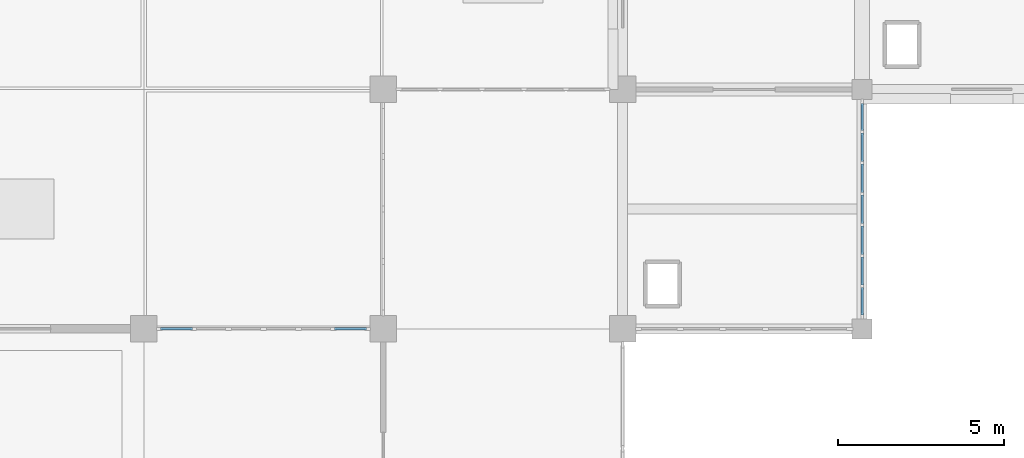
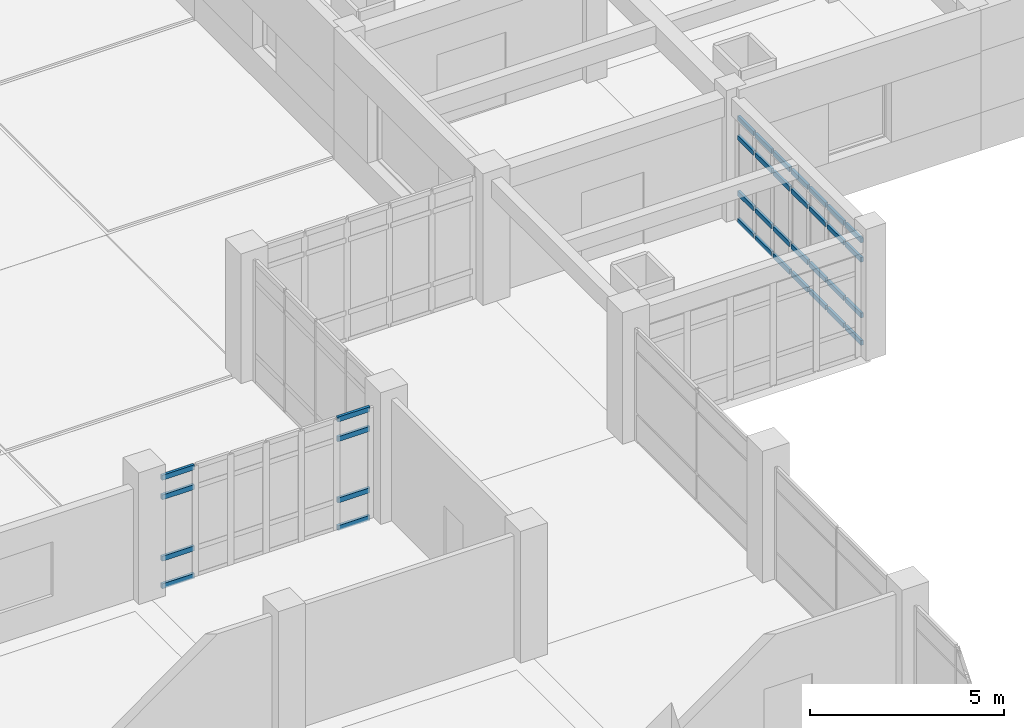
# One storey, part 29 of 62: 36 members, 2 elements without a shape of their own.
"""IFC4 building model written with IfcOpenShell, lengths in metres."""

from ifc_helpers import new_model, si_unit, direction, frame, origin, origin_2d, place, context, subcontext, project, spatial, rectangle, extrude, material, layer, layer_set, material_profile, profile_set, type_object, element, aggregate, save


model = new_model("IFC4")

# Units and contexts
model_context = context("Model", 3, precision=1e-05, world=origin(), true_north=direction((0.0, 1.0)))
body_context = subcontext(model_context, "Body", "Model", "MODEL_VIEW")
ifc_project = project(units=[si_unit("LENGTHUNIT", "METRE"), si_unit("AREAUNIT", "SQUARE_METRE"), si_unit("VOLUMEUNIT", "CUBIC_METRE"), si_unit("PLANEANGLEUNIT", "RADIAN"), si_unit("MASSUNIT", "GRAM", prefix="KILO")], contexts=[model_context])

# Site, building, storey
site_placement = place(None, origin())
site = spatial("IfcSite", under=ifc_project, at=site_placement, CompositionType="ELEMENT")
building_placement = place(site_placement, origin())
building = spatial("IfcBuilding", under=site, at=building_placement, Name="Kavelor Marine Aquarium", CompositionType="ELEMENT")
storey_placement = place(building_placement, frame((0.0, 0.0, 13.5)))
storey = spatial("IfcBuildingStorey", under=building, at=storey_placement, Name="L03", CompositionType="ELEMENT", Elevation=13.5)

# Curtain wall, members
ifc_material_1 = material(Name="Thermally Broken Aluminium and Low-E Glass", Category="aluminium")
ifc_layer_1 = layer(ifc_material_1, 0.14794921875)
ifc_layer_set_1 = layer_set([ifc_layer_1], Name="CW-SYS1")
curtain_wall_type_1 = type_object("IfcCurtainWallType", Name="CW-SYS1", PredefinedType="USERDEFINED", material=ifc_layer_set_1)
curtain_wall_1_placement = place(storey_placement, origin())
curtain_wall_1 = element("IfcCurtainWall", 1, at=curtain_wall_1_placement, inside=storey, type_object=curtain_wall_type_1, Name="cw:y:L03:06_11", ObjectType="Curtain Wall", PredefinedType="USERDEFINED")
ifc_material_2 = material(Name="Anodised Aluminium Alloy 6063-T6", Category="aluminium")
ifc_material_profile_1 = material_profile(ifc_material_2, rectangle(XDim=0.074951171875, YDim=0.14990234375, at=origin_2d()), Name="CW-TRN 75x150")
ifc_profile_set_1 = profile_set([ifc_material_profile_1], Name="Anodised Aluminium Alloy 6063-T6")
member_type_1 = type_object("IfcMemberType", Name="CWT-1", PredefinedType="USERDEFINED", material=ifc_profile_set_1)
member_1_placement = place(storey_placement, frame((46.39990234375, 82.419921875, 0.03759765625), z_axis=(0.0, 1.0, 0.0), x_axis=(-1.0, 0.0, 0.0)))
member_1 = element("IfcMember", 2, at=member_1_placement, type_object=member_type_1, Name="CW01 transom 1.1", ObjectType="TRANSOM", PredefinedType="USERDEFINED", context=body_context, shape_type="SweptSolid", body=[
    extrude(rectangle(XDim=0.074951171875, YDim=0.14990234375, at=origin_2d()), origin(), (0.0, 0.0, 1.0), 0.817626953125),
])
member_2_placement = place(storey_placement, frame((46.39990234375, 82.419921875, 0.89990234375), z_axis=(0.0, 1.0, 0.0), x_axis=(-1.0, 0.0, 0.0)))
member_2 = element("IfcMember", 3, at=member_2_placement, type_object=member_type_1, Name="CW01 transom 1.2", ObjectType="TRANSOM", PredefinedType="USERDEFINED", context=body_context, shape_type="SweptSolid", body=[
    extrude(rectangle(XDim=0.074951171875, YDim=0.14990234375, at=origin_2d()), origin(), (0.0, 0.0, 1.0), 0.817626953125),
])
member_3_placement = place(storey_placement, frame((46.39990234375, 82.419921875, 2.64990234375), z_axis=(0.0, 1.0, 0.0), x_axis=(-1.0, 0.0, 0.0)))
member_3 = element("IfcMember", 4, at=member_3_placement, type_object=member_type_1, Name="CW01 transom 1.3", ObjectType="TRANSOM", PredefinedType="USERDEFINED", context=body_context, shape_type="SweptSolid", body=[
    extrude(rectangle(XDim=0.074951171875, YDim=0.14990234375, at=origin_2d()), origin(), (0.0, 0.0, 1.0), 0.817626953125),
])
member_4_placement = place(storey_placement, frame((46.39990234375, 82.419921875, 3.262451171875), z_axis=(0.0, 1.0, 0.0), x_axis=(-1.0, 0.0, 0.0)))
member_4 = element("IfcMember", 5, at=member_4_placement, type_object=member_type_1, Name="CW01 transom 1.4", ObjectType="TRANSOM", PredefinedType="USERDEFINED", context=body_context, shape_type="SweptSolid", body=[
    extrude(rectangle(XDim=0.074951171875, YDim=0.14990234375, at=origin_2d()), origin(), (0.0, 0.0, 1.0), 0.817626953125),
])
member_5_placement = place(storey_placement, frame((46.39990234375, 83.3125, 0.03759765625), z_axis=(0.0, 1.0, 0.0), x_axis=(-1.0, 0.0, 0.0)))
member_5 = element("IfcMember", 6, at=member_5_placement, type_object=member_type_1, Name="CW01 transom 2.1", ObjectType="TRANSOM", PredefinedType="USERDEFINED", context=body_context, shape_type="SweptSolid", body=[
    extrude(rectangle(XDim=0.074951171875, YDim=0.14990234375, at=origin_2d()), origin(), (0.0, 0.0, 1.0), 0.85498046875),
])
member_6_placement = place(storey_placement, frame((46.39990234375, 83.3125, 0.89990234375), z_axis=(0.0, 1.0, 0.0), x_axis=(-1.0, 0.0, 0.0)))
member_6 = element("IfcMember", 7, at=member_6_placement, type_object=member_type_1, Name="CW01 transom 2.2", ObjectType="TRANSOM", PredefinedType="USERDEFINED", context=body_context, shape_type="SweptSolid", body=[
    extrude(rectangle(XDim=0.074951171875, YDim=0.14990234375, at=origin_2d()), origin(), (0.0, 0.0, 1.0), 0.85498046875),
])
member_7_placement = place(storey_placement, frame((46.39990234375, 83.3125, 2.64990234375), z_axis=(0.0, 1.0, 0.0), x_axis=(-1.0, 0.0, 0.0)))
member_7 = element("IfcMember", 8, at=member_7_placement, type_object=member_type_1, Name="CW01 transom 2.3", ObjectType="TRANSOM", PredefinedType="USERDEFINED", context=body_context, shape_type="SweptSolid", body=[
    extrude(rectangle(XDim=0.074951171875, YDim=0.14990234375, at=origin_2d()), origin(), (0.0, 0.0, 1.0), 0.85498046875),
])
member_8_placement = place(storey_placement, frame((46.39990234375, 83.3125, 3.262451171875), z_axis=(0.0, 1.0, 0.0), x_axis=(-1.0, 0.0, 0.0)))
member_8 = element("IfcMember", 9, at=member_8_placement, type_object=member_type_1, Name="CW01 transom 2.4", ObjectType="TRANSOM", PredefinedType="USERDEFINED", context=body_context, shape_type="SweptSolid", body=[
    extrude(rectangle(XDim=0.074951171875, YDim=0.14990234375, at=origin_2d()), origin(), (0.0, 0.0, 1.0), 0.85498046875),
])
member_9_placement = place(storey_placement, frame((46.39990234375, 84.242431640625, 0.03759765625), z_axis=(0.0, 1.0, 0.0), x_axis=(-1.0, 0.0, 0.0)))
member_9 = element("IfcMember", 10, at=member_9_placement, type_object=member_type_1, Name="CW01 transom 3.1", ObjectType="TRANSOM", PredefinedType="USERDEFINED", context=body_context, shape_type="SweptSolid", body=[
    extrude(rectangle(XDim=0.074951171875, YDim=0.14990234375, at=origin_2d()), origin(), (0.0, 0.0, 1.0), 0.85498046875),
])
member_10_placement = place(storey_placement, frame((46.39990234375, 84.242431640625, 0.89990234375), z_axis=(0.0, 1.0, 0.0), x_axis=(-1.0, 0.0, 0.0)))
member_10 = element("IfcMember", 11, at=member_10_placement, type_object=member_type_1, Name="CW01 transom 3.2", ObjectType="TRANSOM", PredefinedType="USERDEFINED", context=body_context, shape_type="SweptSolid", body=[
    extrude(rectangle(XDim=0.074951171875, YDim=0.14990234375, at=origin_2d()), origin(), (0.0, 0.0, 1.0), 0.85498046875),
])
member_11_placement = place(storey_placement, frame((46.39990234375, 84.242431640625, 2.64990234375), z_axis=(0.0, 1.0, 0.0), x_axis=(-1.0, 0.0, 0.0)))
member_11 = element("IfcMember", 12, at=member_11_placement, type_object=member_type_1, Name="CW01 transom 3.3", ObjectType="TRANSOM", PredefinedType="USERDEFINED", context=body_context, shape_type="SweptSolid", body=[
    extrude(rectangle(XDim=0.074951171875, YDim=0.14990234375, at=origin_2d()), origin(), (0.0, 0.0, 1.0), 0.85498046875),
])
member_12_placement = place(storey_placement, frame((46.39990234375, 84.242431640625, 3.262451171875), z_axis=(0.0, 1.0, 0.0), x_axis=(-1.0, 0.0, 0.0)))
member_12 = element("IfcMember", 13, at=member_12_placement, type_object=member_type_1, Name="CW01 transom 3.4", ObjectType="TRANSOM", PredefinedType="USERDEFINED", context=body_context, shape_type="SweptSolid", body=[
    extrude(rectangle(XDim=0.074951171875, YDim=0.14990234375, at=origin_2d()), origin(), (0.0, 0.0, 1.0), 0.85498046875),
])
member_13_placement = place(storey_placement, frame((46.39990234375, 85.172607421875, 0.03759765625), z_axis=(0.0, 1.0, 0.0), x_axis=(-1.0, 0.0, 0.0)))
member_13 = element("IfcMember", 14, at=member_13_placement, type_object=member_type_1, Name="CW01 transom 4.1", ObjectType="TRANSOM", PredefinedType="USERDEFINED", context=body_context, shape_type="SweptSolid", body=[
    extrude(rectangle(XDim=0.074951171875, YDim=0.14990234375, at=origin_2d()), origin(), (0.0, 0.0, 1.0), 0.85498046875),
])
member_14_placement = place(storey_placement, frame((46.39990234375, 85.172607421875, 0.89990234375), z_axis=(0.0, 1.0, 0.0), x_axis=(-1.0, 0.0, 0.0)))
member_14 = element("IfcMember", 15, at=member_14_placement, type_object=member_type_1, Name="CW01 transom 4.2", ObjectType="TRANSOM", PredefinedType="USERDEFINED", context=body_context, shape_type="SweptSolid", body=[
    extrude(rectangle(XDim=0.074951171875, YDim=0.14990234375, at=origin_2d()), origin(), (0.0, 0.0, 1.0), 0.85498046875),
])
member_15_placement = place(storey_placement, frame((46.39990234375, 85.172607421875, 2.64990234375), z_axis=(0.0, 1.0, 0.0), x_axis=(-1.0, 0.0, 0.0)))
member_15 = element("IfcMember", 16, at=member_15_placement, type_object=member_type_1, Name="CW01 transom 4.3", ObjectType="TRANSOM", PredefinedType="USERDEFINED", context=body_context, shape_type="SweptSolid", body=[
    extrude(rectangle(XDim=0.074951171875, YDim=0.14990234375, at=origin_2d()), origin(), (0.0, 0.0, 1.0), 0.85498046875),
])
member_16_placement = place(storey_placement, frame((46.39990234375, 85.172607421875, 3.262451171875), z_axis=(0.0, 1.0, 0.0), x_axis=(-1.0, 0.0, 0.0)))
member_16 = element("IfcMember", 17, at=member_16_placement, type_object=member_type_1, Name="CW01 transom 4.4", ObjectType="TRANSOM", PredefinedType="USERDEFINED", context=body_context, shape_type="SweptSolid", body=[
    extrude(rectangle(XDim=0.074951171875, YDim=0.14990234375, at=origin_2d()), origin(), (0.0, 0.0, 1.0), 0.85498046875),
])
member_17_placement = place(storey_placement, frame((46.39990234375, 86.1025390625, 0.03759765625), z_axis=(0.0, 1.0, 0.0), x_axis=(-1.0, 0.0, 0.0)))
member_17 = element("IfcMember", 18, at=member_17_placement, type_object=member_type_1, Name="CW01 transom 5.1", ObjectType="TRANSOM", PredefinedType="USERDEFINED", context=body_context, shape_type="SweptSolid", body=[
    extrude(rectangle(XDim=0.074951171875, YDim=0.14990234375, at=origin_2d()), origin(), (0.0, 0.0, 1.0), 0.85498046875),
])
member_18_placement = place(storey_placement, frame((46.39990234375, 86.1025390625, 0.89990234375), z_axis=(0.0, 1.0, 0.0), x_axis=(-1.0, 0.0, 0.0)))
member_18 = element("IfcMember", 19, at=member_18_placement, type_object=member_type_1, Name="CW01 transom 5.2", ObjectType="TRANSOM", PredefinedType="USERDEFINED", context=body_context, shape_type="SweptSolid", body=[
    extrude(rectangle(XDim=0.074951171875, YDim=0.14990234375, at=origin_2d()), origin(), (0.0, 0.0, 1.0), 0.85498046875),
])
member_19_placement = place(storey_placement, frame((46.39990234375, 86.1025390625, 2.64990234375), z_axis=(0.0, 1.0, 0.0), x_axis=(-1.0, 0.0, 0.0)))
member_19 = element("IfcMember", 20, at=member_19_placement, type_object=member_type_1, Name="CW01 transom 5.3", ObjectType="TRANSOM", PredefinedType="USERDEFINED", context=body_context, shape_type="SweptSolid", body=[
    extrude(rectangle(XDim=0.074951171875, YDim=0.14990234375, at=origin_2d()), origin(), (0.0, 0.0, 1.0), 0.85498046875),
])
member_20_placement = place(storey_placement, frame((46.39990234375, 86.1025390625, 3.262451171875), z_axis=(0.0, 1.0, 0.0), x_axis=(-1.0, 0.0, 0.0)))
member_20 = element("IfcMember", 21, at=member_20_placement, type_object=member_type_1, Name="CW01 transom 5.4", ObjectType="TRANSOM", PredefinedType="USERDEFINED", context=body_context, shape_type="SweptSolid", body=[
    extrude(rectangle(XDim=0.074951171875, YDim=0.14990234375, at=origin_2d()), origin(), (0.0, 0.0, 1.0), 0.85498046875),
])
member_21_placement = place(storey_placement, frame((46.39990234375, 87.032470703125, 0.03759765625), z_axis=(0.0, 1.0, 0.0), x_axis=(-1.0, 0.0, 0.0)))
member_21 = element("IfcMember", 22, at=member_21_placement, type_object=member_type_1, Name="CW01 transom 6.1", ObjectType="TRANSOM", PredefinedType="USERDEFINED", context=body_context, shape_type="SweptSolid", body=[
    extrude(rectangle(XDim=0.074951171875, YDim=0.14990234375, at=origin_2d()), origin(), (0.0, 0.0, 1.0), 0.85498046875),
])
member_22_placement = place(storey_placement, frame((46.39990234375, 87.032470703125, 0.89990234375), z_axis=(0.0, 1.0, 0.0), x_axis=(-1.0, 0.0, 0.0)))
member_22 = element("IfcMember", 23, at=member_22_placement, type_object=member_type_1, Name="CW01 transom 6.2", ObjectType="TRANSOM", PredefinedType="USERDEFINED", context=body_context, shape_type="SweptSolid", body=[
    extrude(rectangle(XDim=0.074951171875, YDim=0.14990234375, at=origin_2d()), origin(), (0.0, 0.0, 1.0), 0.85498046875),
])
member_23_placement = place(storey_placement, frame((46.39990234375, 87.032470703125, 2.64990234375), z_axis=(0.0, 1.0, 0.0), x_axis=(-1.0, 0.0, 0.0)))
member_23 = element("IfcMember", 24, at=member_23_placement, type_object=member_type_1, Name="CW01 transom 6.3", ObjectType="TRANSOM", PredefinedType="USERDEFINED", context=body_context, shape_type="SweptSolid", body=[
    extrude(rectangle(XDim=0.074951171875, YDim=0.14990234375, at=origin_2d()), origin(), (0.0, 0.0, 1.0), 0.85498046875),
])
member_24_placement = place(storey_placement, frame((46.39990234375, 87.032470703125, 3.262451171875), z_axis=(0.0, 1.0, 0.0), x_axis=(-1.0, 0.0, 0.0)))
member_24 = element("IfcMember", 25, at=member_24_placement, type_object=member_type_1, Name="CW01 transom 6.4", ObjectType="TRANSOM", PredefinedType="USERDEFINED", context=body_context, shape_type="SweptSolid", body=[
    extrude(rectangle(XDim=0.074951171875, YDim=0.14990234375, at=origin_2d()), origin(), (0.0, 0.0, 1.0), 0.85498046875),
])
member_25_placement = place(storey_placement, frame((46.39990234375, 87.96240234375, 0.03759765625), z_axis=(0.0, 1.0, 0.0), x_axis=(-1.0, 0.0, 0.0)))
member_25 = element("IfcMember", 26, at=member_25_placement, type_object=member_type_1, Name="CW01 transom 7.1", ObjectType="TRANSOM", PredefinedType="USERDEFINED", context=body_context, shape_type="SweptSolid", body=[
    extrude(rectangle(XDim=0.074951171875, YDim=0.14990234375, at=origin_2d()), origin(), (0.0, 0.0, 1.0), 0.817626953125),
])
member_26_placement = place(storey_placement, frame((46.39990234375, 87.96240234375, 0.89990234375), z_axis=(0.0, 1.0, 0.0), x_axis=(-1.0, 0.0, 0.0)))
member_26 = element("IfcMember", 27, at=member_26_placement, type_object=member_type_1, Name="CW01 transom 7.2", ObjectType="TRANSOM", PredefinedType="USERDEFINED", context=body_context, shape_type="SweptSolid", body=[
    extrude(rectangle(XDim=0.074951171875, YDim=0.14990234375, at=origin_2d()), origin(), (0.0, 0.0, 1.0), 0.817626953125),
])
member_27_placement = place(storey_placement, frame((46.39990234375, 87.96240234375, 2.64990234375), z_axis=(0.0, 1.0, 0.0), x_axis=(-1.0, 0.0, 0.0)))
member_27 = element("IfcMember", 28, at=member_27_placement, type_object=member_type_1, Name="CW01 transom 7.3", ObjectType="TRANSOM", PredefinedType="USERDEFINED", context=body_context, shape_type="SweptSolid", body=[
    extrude(rectangle(XDim=0.074951171875, YDim=0.14990234375, at=origin_2d()), origin(), (0.0, 0.0, 1.0), 0.817626953125),
])
member_28_placement = place(storey_placement, frame((46.39990234375, 87.96240234375, 3.262451171875), z_axis=(0.0, 1.0, 0.0), x_axis=(-1.0, 0.0, 0.0)))
member_28 = element("IfcMember", 29, at=member_28_placement, type_object=member_type_1, Name="CW01 transom 7.4", ObjectType="TRANSOM", PredefinedType="USERDEFINED", context=body_context, shape_type="SweptSolid", body=[
    extrude(rectangle(XDim=0.074951171875, YDim=0.14990234375, at=origin_2d()), origin(), (0.0, 0.0, 1.0), 0.817626953125),
])
aggregate(curtain_wall_1, [member_1, member_2, member_3, member_4, member_5, member_6, member_7, member_8, member_9, member_10, member_11, member_12, member_13, member_14, member_15, member_16, member_17, member_18, member_19, member_20, member_21, member_22, member_23, member_24, member_25, member_26, member_27, member_28])

ifc_material_3 = material(Name="Thermally Broken Aluminium and Low-E Glass", Category="aluminium")
ifc_layer_2 = layer(ifc_material_3, 0.1640625)
ifc_layer_set_2 = layer_set([ifc_layer_2], Name="CW-SYS3")
curtain_wall_type_2 = type_object("IfcCurtainWallType", Name="CW-SYS3", PredefinedType="USERDEFINED", material=ifc_layer_set_2)
curtain_wall_2_placement = place(storey_placement, origin())
curtain_wall_2 = element("IfcCurtainWall", 30, at=curtain_wall_2_placement, inside=storey, type_object=curtain_wall_type_2, Name="cw:x:L03:03_11", ObjectType="Curtain Wall", PredefinedType="USERDEFINED")
ifc_material_4 = material(Name="Anodised Aluminium Alloy 6063-T6", Category="aluminium")
ifc_material_profile_2 = material_profile(ifc_material_4, rectangle(XDim=0.080078125, YDim=0.155029296875, at=origin_2d()), Name="CW-TRN 80x155")
ifc_profile_set_2 = profile_set([ifc_material_profile_2], Name="Anodised Aluminium Alloy 6063-T6")
member_type_2 = type_object("IfcMemberType", Name="CWT-2", PredefinedType="USERDEFINED", material=ifc_profile_set_2)
member_29_placement = place(storey_placement, frame((25.304931640625, 82.0, 0.032470703125), z_axis=(1.0, 0.0, 0.0), x_axis=(0.0, 1.0, 0.0)))
member_29 = element("IfcMember", 31, at=member_29_placement, type_object=member_type_2, Name="CW03 transom 1.1", ObjectType="TRANSOM", PredefinedType="USERDEFINED", context=body_context, shape_type="SweptSolid", body=[
    extrude(rectangle(XDim=0.080078125, YDim=0.155029296875, at=origin_2d()), origin(), (0.0, 0.0, 1.0), 0.961669921875),
])
member_30_placement = place(storey_placement, frame((25.304931640625, 82.0, 0.89990234375), z_axis=(1.0, 0.0, 0.0), x_axis=(0.0, 1.0, 0.0)))
member_30 = element("IfcMember", 32, at=member_30_placement, type_object=member_type_2, Name="CW03 transom 1.2", ObjectType="TRANSOM", PredefinedType="USERDEFINED", context=body_context, shape_type="SweptSolid", body=[
    extrude(rectangle(XDim=0.080078125, YDim=0.155029296875, at=origin_2d()), origin(), (0.0, 0.0, 1.0), 0.961669921875),
])
member_31_placement = place(storey_placement, frame((25.304931640625, 82.0, 2.830078125), z_axis=(1.0, 0.0, 0.0), x_axis=(0.0, 1.0, 0.0)))
member_31 = element("IfcMember", 33, at=member_31_placement, type_object=member_type_2, Name="CW03 transom 1.3", ObjectType="TRANSOM", PredefinedType="USERDEFINED", context=body_context, shape_type="SweptSolid", body=[
    extrude(rectangle(XDim=0.080078125, YDim=0.155029296875, at=origin_2d()), origin(), (0.0, 0.0, 1.0), 0.961669921875),
])
member_32_placement = place(storey_placement, frame((25.304931640625, 82.0, 3.447509765625), z_axis=(1.0, 0.0, 0.0), x_axis=(0.0, 1.0, 0.0)))
member_32 = element("IfcMember", 34, at=member_32_placement, type_object=member_type_2, Name="CW03 transom 1.4", ObjectType="TRANSOM", PredefinedType="USERDEFINED", context=body_context, shape_type="SweptSolid", body=[
    extrude(rectangle(XDim=0.080078125, YDim=0.155029296875, at=origin_2d()), origin(), (0.0, 0.0, 1.0), 0.961669921875),
])
member_33_placement = place(storey_placement, frame((30.533447265625, 82.0, 0.032470703125), z_axis=(1.0, 0.0, 0.0), x_axis=(0.0, 1.0, 0.0)))
member_33 = element("IfcMember", 35, at=member_33_placement, type_object=member_type_2, Name="CW03 transom 6.1", ObjectType="TRANSOM", PredefinedType="USERDEFINED", context=body_context, shape_type="SweptSolid", body=[
    extrude(rectangle(XDim=0.080078125, YDim=0.155029296875, at=origin_2d()), origin(), (0.0, 0.0, 1.0), 0.961669921875),
])
member_34_placement = place(storey_placement, frame((30.533447265625, 82.0, 0.89990234375), z_axis=(1.0, 0.0, 0.0), x_axis=(0.0, 1.0, 0.0)))
member_34 = element("IfcMember", 36, at=member_34_placement, type_object=member_type_2, Name="CW03 transom 6.2", ObjectType="TRANSOM", PredefinedType="USERDEFINED", context=body_context, shape_type="SweptSolid", body=[
    extrude(rectangle(XDim=0.080078125, YDim=0.155029296875, at=origin_2d()), origin(), (0.0, 0.0, 1.0), 0.961669921875),
])
member_35_placement = place(storey_placement, frame((30.533447265625, 82.0, 2.830078125), z_axis=(1.0, 0.0, 0.0), x_axis=(0.0, 1.0, 0.0)))
member_35 = element("IfcMember", 37, at=member_35_placement, type_object=member_type_2, Name="CW03 transom 6.3", ObjectType="TRANSOM", PredefinedType="USERDEFINED", context=body_context, shape_type="SweptSolid", body=[
    extrude(rectangle(XDim=0.080078125, YDim=0.155029296875, at=origin_2d()), origin(), (0.0, 0.0, 1.0), 0.961669921875),
])
member_36_placement = place(storey_placement, frame((30.533447265625, 82.0, 3.447509765625), z_axis=(1.0, 0.0, 0.0), x_axis=(0.0, 1.0, 0.0)))
member_36 = element("IfcMember", 38, at=member_36_placement, type_object=member_type_2, Name="CW03 transom 6.4", ObjectType="TRANSOM", PredefinedType="USERDEFINED", context=body_context, shape_type="SweptSolid", body=[
    extrude(rectangle(XDim=0.080078125, YDim=0.155029296875, at=origin_2d()), origin(), (0.0, 0.0, 1.0), 0.961669921875),
])
aggregate(curtain_wall_2, [member_29, member_30, member_31, member_32, member_33, member_34, member_35, member_36])

save(model, "model.ifc")
